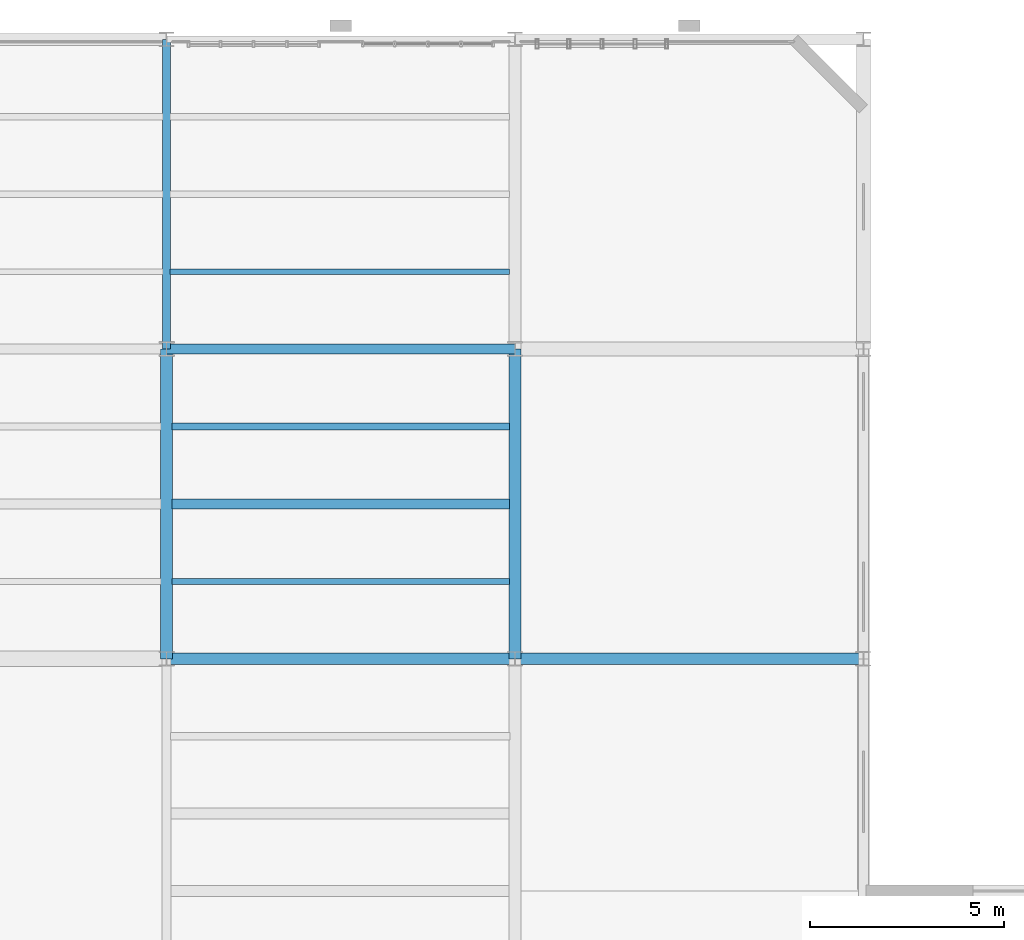
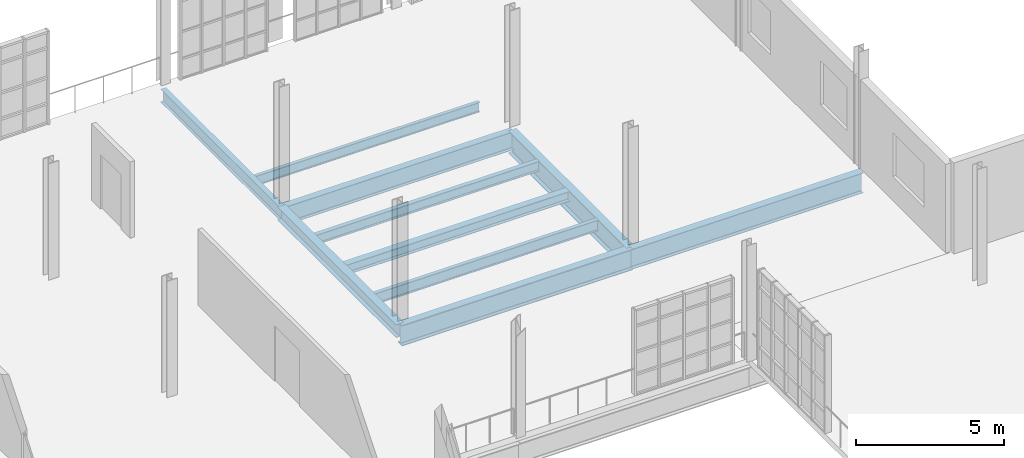
# One storey, part 67 of 118: 10 beams.
"""IFC4 building model written with IfcOpenShell, lengths in metres."""

from ifc_helpers import new_model, si_unit, direction, frame, origin, origin_2d, place, context, subcontext, project, spatial, i_section, extrude, material, material_profile, profile_set, type_object, element, save


model = new_model("IFC4")

# Units and contexts
model_context = context("Model", 3, precision=1e-05, world=origin(), true_north=direction((0.0, 1.0)))
body_context = subcontext(model_context, "Body", "Model", "MODEL_VIEW")
ifc_project = project(units=[si_unit("LENGTHUNIT", "METRE"), si_unit("AREAUNIT", "SQUARE_METRE"), si_unit("VOLUMEUNIT", "CUBIC_METRE"), si_unit("PLANEANGLEUNIT", "RADIAN"), si_unit("MASSUNIT", "GRAM", prefix="KILO"), si_unit("THERMODYNAMICTEMPERATUREUNIT", "KELVIN"), si_unit("POWERUNIT", "WATT")], contexts=[model_context])

# Site, building, storey
site_placement = place(None, origin())
site = spatial("IfcSite", under=ifc_project, at=site_placement, CompositionType="ELEMENT")
building_placement = place(site_placement, origin())
building = spatial("IfcBuilding", under=site, at=building_placement, Name="Zelmaris Science Centre", CompositionType="ELEMENT")
storey_placement = place(building_placement, frame((0.0, 0.0, 15.60009765625)))
storey = spatial("IfcBuildingStorey", under=building, at=storey_placement, Name="L03", CompositionType="ELEMENT", Elevation=15.60009765625)

# Beams
ifc_material = material(Name="Steel ASTM A992 Grade 50", Category="steel")
ifc_material_profile_1 = material_profile(ifc_material, i_section(OverallWidth=0.31201171875, OverallDepth=0.5439453125, WebThickness=0.0126953125, FlangeThickness=0.020263671875, FilletRadius=0.013916015625, at=origin_2d()), Name="W21X101")
ifc_profile_set_1 = profile_set([ifc_material_profile_1], Name="Steel ASTM A992 Grade 50")
beam_type_1 = type_object("IfcBeamType", Name="Beam G-18 W21X101", PredefinedType="BEAM", material=ifc_profile_set_1)
beam_1_placement = place(storey_placement, frame((90.0, 72.0, -0.531982421875), z_axis=(0.0, 1.0, 0.0), x_axis=(-1.0, 0.0, 0.0)))
element("IfcBeam", 1, at=beam_1_placement, inside=storey, type_object=beam_type_1, Name="L03 North-south girder 693", PredefinedType="BEAM", context=body_context, shape_type="SweptSolid", body=[
    extrude(i_section(OverallWidth=0.31201171875, OverallDepth=0.5439453125, WebThickness=0.0126953125, FlangeThickness=0.020263671875, FilletRadius=0.013916015625, at=origin_2d()), origin(), (0.0, 0.0, 1.0), 8.0),
])
ifc_material_profile_2 = material_profile(ifc_material, i_section(OverallWidth=0.2109375, OverallDepth=0.5380859375, WebThickness=0.01171875, FlangeThickness=0.018798828125, FilletRadius=0.013916015625, at=origin_2d()), Name="W21X73")
ifc_profile_set_2 = profile_set([ifc_material_profile_2], Name="Steel ASTM A992 Grade 50")
beam_type_2 = type_object("IfcBeamType", Name="Beam G-19 W21X73", PredefinedType="BEAM", material=ifc_profile_set_2)
beam_2_placement = place(storey_placement, frame((90.0, 80.0, -0.529052734375), z_axis=(0.0, 1.0, 0.0), x_axis=(-1.0, 0.0, 0.0)))
element("IfcBeam", 2, at=beam_2_placement, inside=storey, type_object=beam_type_2, Name="L03 North-south girder 694", PredefinedType="BEAM", context=body_context, shape_type="SweptSolid", body=[
    extrude(i_section(OverallWidth=0.2109375, OverallDepth=0.5380859375, WebThickness=0.01171875, FlangeThickness=0.018798828125, FilletRadius=0.013916015625, at=origin_2d()), origin(), (0.0, 0.0, 1.0), 8.0),
])
ifc_material_profile_3 = material_profile(ifc_material, i_section(OverallWidth=0.31005859375, OverallDepth=0.931884765625, WebThickness=0.02099609375, FlangeThickness=0.034423828125, FilletRadius=0.02392578125, at=origin_2d()), Name="W36X210")
ifc_profile_set_3 = profile_set([ifc_material_profile_3], Name="Steel ASTM A992 Grade 50")
beam_type_3 = type_object("IfcBeamType", Name="Beam G-25 W36X210", PredefinedType="BEAM", material=ifc_profile_set_3)
beam_3_placement = place(storey_placement, frame((99.0, 72.0, -0.72607421875), z_axis=(0.0, 1.0, 0.0), x_axis=(-1.0, 0.0, 0.0)))
element("IfcBeam", 3, at=beam_3_placement, inside=storey, type_object=beam_type_3, Name="L03 North-south girder 696", PredefinedType="BEAM", context=body_context, shape_type="SweptSolid", body=[
    extrude(i_section(OverallWidth=0.31005859375, OverallDepth=0.931884765625, WebThickness=0.02099609375, FlangeThickness=0.034423828125, FilletRadius=0.02392578125, at=origin_2d()), origin(), (0.0, 0.0, 1.0), 8.0),
])
ifc_material_profile_4 = material_profile(ifc_material, i_section(OverallWidth=0.2919921875, OverallDepth=0.85888671875, WebThickness=0.01708984375, FlangeThickness=0.031005859375, FilletRadius=0.02001953125, at=origin_2d()), Name="W33X169")
ifc_profile_set_4 = profile_set([ifc_material_profile_4], Name="Steel ASTM A992 Grade 50")
beam_type_4 = type_object("IfcBeamType", Name="Beam G-29 W33X169", PredefinedType="BEAM", material=ifc_profile_set_4)
beam_4_placement = place(storey_placement, frame((90.0, 72.0, -0.689697265625), z_axis=(1.0, 0.0, 0.0), x_axis=(0.0, 1.0, 0.0)))
element("IfcBeam", 4, at=beam_4_placement, inside=storey, type_object=beam_type_4, Name="L03 East-west girder 762", PredefinedType="BEAM", context=body_context, shape_type="SweptSolid", body=[
    extrude(i_section(OverallWidth=0.2919921875, OverallDepth=0.85888671875, WebThickness=0.01708984375, FlangeThickness=0.031005859375, FilletRadius=0.02001953125, at=origin_2d()), origin(), (0.0, 0.0, 1.0), 9.0),
])
ifc_material_profile_5 = material_profile(ifc_material, i_section(OverallWidth=0.2919921875, OverallDepth=0.8359375, WebThickness=0.013916015625, FlangeThickness=0.018798828125, FilletRadius=0.02001953125, at=origin_2d()), Name="W33X118")
ifc_profile_set_5 = profile_set([ifc_material_profile_5], Name="Steel ASTM A992 Grade 50")
beam_type_5 = type_object("IfcBeamType", Name="Beam G-30 W33X118", PredefinedType="BEAM", material=ifc_profile_set_5)
beam_5_placement = place(storey_placement, frame((99.0, 72.0, -0.677978515625), z_axis=(1.0, 0.0, 0.0), x_axis=(0.0, 1.0, 0.0)))
element("IfcBeam", 5, at=beam_5_placement, inside=storey, type_object=beam_type_5, Name="L03 East-west girder 763", PredefinedType="BEAM", context=body_context, shape_type="SweptSolid", body=[
    extrude(i_section(OverallWidth=0.2919921875, OverallDepth=0.8359375, WebThickness=0.013916015625, FlangeThickness=0.018798828125, FilletRadius=0.02001953125, at=origin_2d()), origin(), (0.0, 0.0, 1.0), 9.0),
])
ifc_material_profile_6 = material_profile(ifc_material, i_section(OverallWidth=0.26708984375, OverallDepth=0.75390625, WebThickness=0.01318359375, FlangeThickness=0.01708984375, FilletRadius=0.01904296875, at=origin_2d()), Name="W30X99")
ifc_profile_set_6 = profile_set([ifc_material_profile_6], Name="Steel ASTM A992 Grade 50")
beam_type_6 = type_object("IfcBeamType", Name="Beam G-34 W30X99", PredefinedType="BEAM", material=ifc_profile_set_6)
beam_6_placement = place(storey_placement, frame((90.0, 80.0, -0.63720703125), z_axis=(1.0, 0.0, 0.0), x_axis=(0.0, 1.0, 0.0)))
element("IfcBeam", 6, at=beam_6_placement, inside=storey, type_object=beam_type_6, Name="L03 East-west girder 767", PredefinedType="BEAM", context=body_context, shape_type="SweptSolid", body=[
    extrude(i_section(OverallWidth=0.26708984375, OverallDepth=0.75390625, WebThickness=0.01318359375, FlangeThickness=0.01708984375, FilletRadius=0.01904296875, at=origin_2d()), origin(), (0.0, 0.0, 1.0), 9.0),
])
ifc_material_profile_7 = material_profile(ifc_material, i_section(OverallWidth=0.152099609375, OverallDepth=0.455078125, WebThickness=0.008056640625, FlangeThickness=0.01318359375, FilletRadius=0.012939453125, at=origin_2d()), Name="W18X40")
ifc_profile_set_7 = profile_set([ifc_material_profile_7], Name="Steel ASTM A992 Grade 50")
beam_type_7 = type_object("IfcBeamType", Name="Beam J-05 W18X40", PredefinedType="JOIST", material=ifc_profile_set_7)
beam_7_placement = place(storey_placement, frame((90.14111328125, 74.0, -0.487548828125), z_axis=(1.0, 0.0, 0.0), x_axis=(0.0, 1.0, 0.0)))
element("IfcBeam", 7, at=beam_7_placement, inside=storey, type_object=beam_type_7, Name="L03 Composite floor joist 337", PredefinedType="JOIST", context=body_context, shape_type="SweptSolid", body=[
    extrude(i_section(OverallWidth=0.152099609375, OverallDepth=0.455078125, WebThickness=0.008056640625, FlangeThickness=0.01318359375, FilletRadius=0.012939453125, at=origin_2d()), origin(), (0.0, 0.0, 1.0), 8.718994140625),
])
ifc_material_profile_8 = material_profile(ifc_material, i_section(OverallWidth=0.260009765625, OverallDepth=0.4140625, WebThickness=0.010009765625, FlangeThickness=0.016845703125, FilletRadius=0.011962890625, at=origin_2d()), Name="W16X67")
ifc_profile_set_8 = profile_set([ifc_material_profile_8], Name="Steel ASTM A992 Grade 50")
beam_type_8 = type_object("IfcBeamType", Name="Beam J-06 W16X67", PredefinedType="JOIST", material=ifc_profile_set_8)
beam_8_placement = place(storey_placement, frame((90.14111328125, 76.0, -0.467041015625), z_axis=(1.0, 0.0, 0.0), x_axis=(0.0, 1.0, 0.0)))
element("IfcBeam", 8, at=beam_8_placement, inside=storey, type_object=beam_type_8, Name="L03 Composite floor joist 338", PredefinedType="JOIST", context=body_context, shape_type="SweptSolid", body=[
    extrude(i_section(OverallWidth=0.260009765625, OverallDepth=0.4140625, WebThickness=0.010009765625, FlangeThickness=0.016845703125, FilletRadius=0.011962890625, at=origin_2d()), origin(), (0.0, 0.0, 1.0), 8.718994140625),
])
ifc_material_profile_9 = material_profile(ifc_material, i_section(OverallWidth=0.177978515625, OverallDepth=0.408935546875, WebThickness=0.0087890625, FlangeThickness=0.014404296875, FilletRadius=0.011962890625, at=origin_2d()), Name="W16X45")
ifc_profile_set_9 = profile_set([ifc_material_profile_9], Name="Steel ASTM A992 Grade 50")
beam_type_9 = type_object("IfcBeamType", Name="Beam J-07 W16X45", PredefinedType="JOIST", material=ifc_profile_set_9)
beam_9_placement = place(storey_placement, frame((90.14111328125, 78.0, -0.464599609375), z_axis=(1.0, 0.0, 0.0), x_axis=(0.0, 1.0, 0.0)))
element("IfcBeam", 9, at=beam_9_placement, inside=storey, type_object=beam_type_9, Name="L03 Composite floor joist 339", PredefinedType="JOIST", context=body_context, shape_type="SweptSolid", body=[
    extrude(i_section(OverallWidth=0.177978515625, OverallDepth=0.408935546875, WebThickness=0.0087890625, FlangeThickness=0.014404296875, FilletRadius=0.011962890625, at=origin_2d()), origin(), (0.0, 0.0, 1.0), 8.718994140625),
])
ifc_material_profile_10 = material_profile(ifc_material, i_section(OverallWidth=0.139892578125, OverallDepth=0.404052734375, WebThickness=0.007080078125, FlangeThickness=0.01123046875, FilletRadius=0.011962890625, at=origin_2d()), Name="W16X31")
ifc_profile_set_10 = profile_set([ifc_material_profile_10], Name="Steel ASTM A992 Grade 50")
beam_type_10 = type_object("IfcBeamType", Name="Beam J-08 W16X31", PredefinedType="JOIST", material=ifc_profile_set_10)
beam_10_placement = place(storey_placement, frame((90.090576171875, 82.0, -0.462158203125), z_axis=(1.0, 0.0, 0.0), x_axis=(0.0, 1.0, 0.0)))
element("IfcBeam", 10, at=beam_10_placement, inside=storey, type_object=beam_type_10, Name="L03 Composite floor joist 340", PredefinedType="JOIST", context=body_context, shape_type="SweptSolid", body=[
    extrude(i_section(OverallWidth=0.139892578125, OverallDepth=0.404052734375, WebThickness=0.007080078125, FlangeThickness=0.01123046875, FilletRadius=0.011962890625, at=origin_2d()), origin(), (0.0, 0.0, 1.0), 8.77197265625),
])

save(model, "model.ifc")
